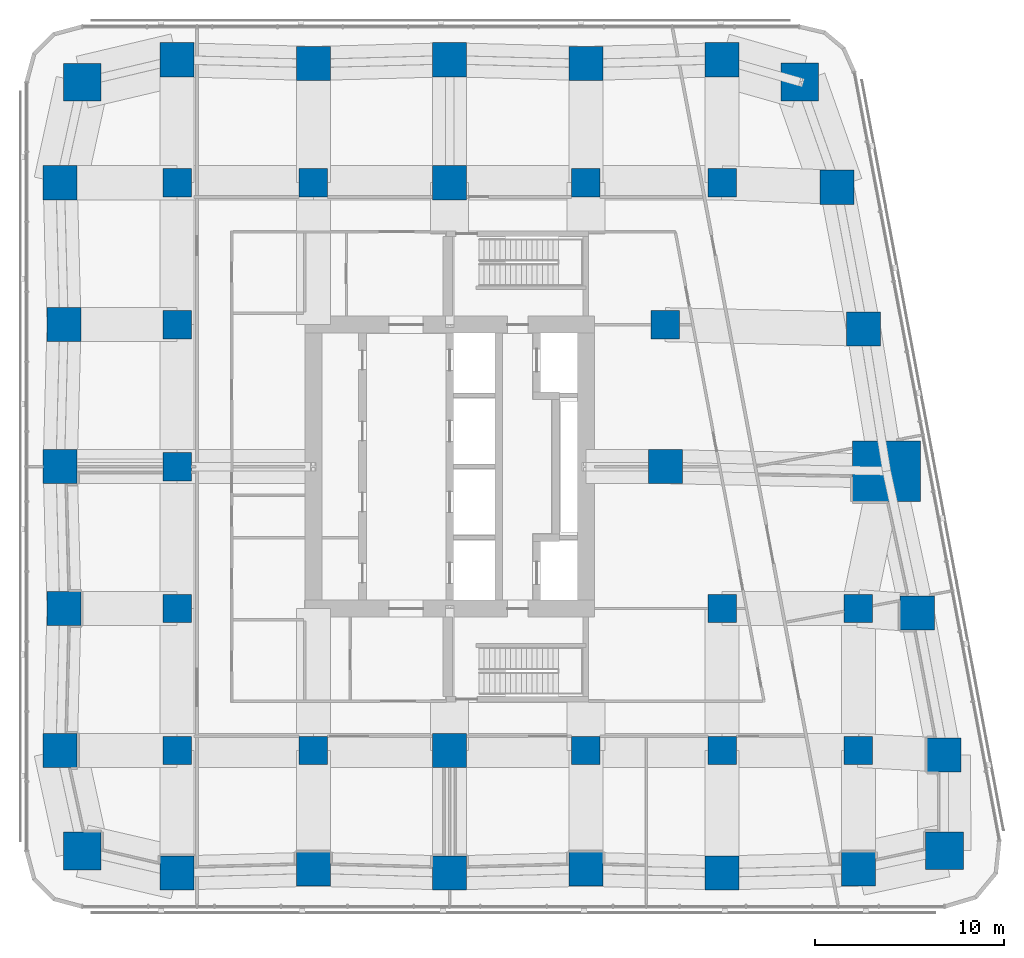
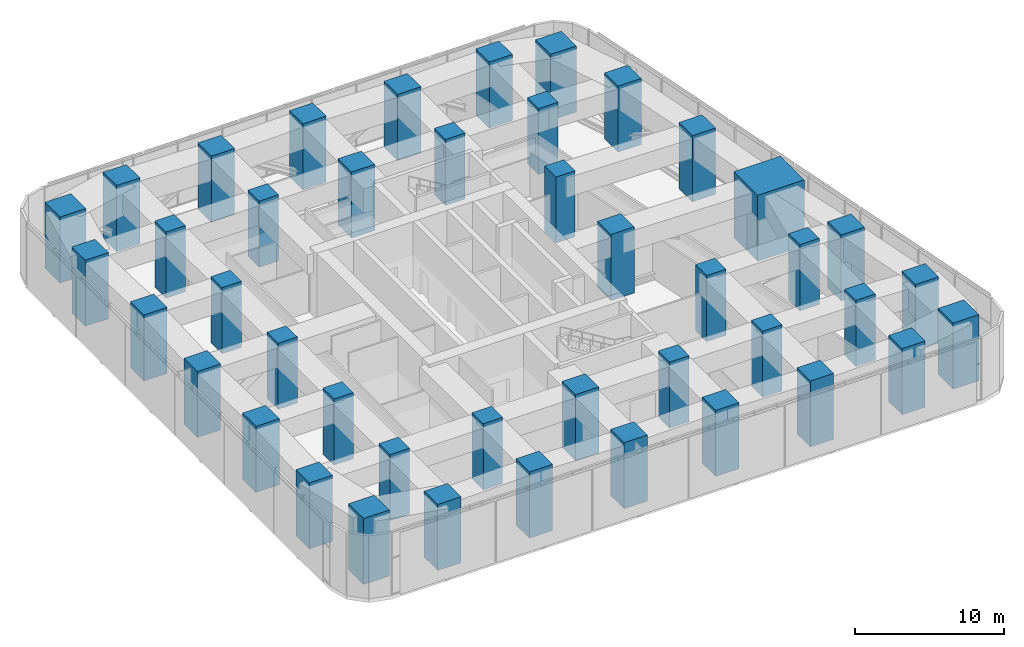
# One storey, part 1 of 17: 43 columns.
"""IFC4 building model written with IfcOpenShell, lengths in metres."""

from ifc_helpers import new_model, si_unit, direction, frame, origin, origin_2d, place, context, subcontext, project, spatial, rectangle, extrude, material, material_profile, profile_set, type_object, element, save


model = new_model("IFC4")

# Units and contexts
model_context = context("Model", 3, precision=1e-05, world=origin(), true_north=direction((0.0, 1.0)))
body_context = subcontext(model_context, "Body", "Model", "MODEL_VIEW")
ifc_project = project(units=[si_unit("LENGTHUNIT", "METRE"), si_unit("AREAUNIT", "SQUARE_METRE"), si_unit("VOLUMEUNIT", "CUBIC_METRE"), si_unit("PLANEANGLEUNIT", "RADIAN"), si_unit("MASSUNIT", "GRAM", prefix="KILO")], contexts=[model_context])

# Site, building, storey
site_placement = place(None, origin())
site = spatial("IfcSite", under=ifc_project, at=site_placement, CompositionType="ELEMENT")
building_placement = place(site_placement, origin())
building = spatial("IfcBuilding", under=site, at=building_placement, Name="Sheger Commons Tower", CompositionType="ELEMENT")
storey_placement = place(building_placement, frame((0.0, 0.0, 188.300048828125)))
storey = spatial("IfcBuildingStorey", under=building, at=storey_placement, Name="L48", CompositionType="ELEMENT", Elevation=188.300048828125)

# Columns
ifc_material_1 = material(Name="Concrete C50/60", Category="concrete")
ifc_material_profile_1 = material_profile(ifc_material_1, rectangle(XDim=3.60009765625, YDim=3.199951171875, at=origin_2d()), Name="RC 3600x3200")
ifc_profile_set_1 = profile_set([ifc_material_profile_1], Name="Concrete C50/60")
column_type_1 = type_object("IfcColumnType", Name="COLUMN PIER RC 3600x3200", PredefinedType="COLUMN", material=ifc_profile_set_1)
column_placement = place(storey_placement, frame((44.697021484375, 22.262939453125, 0.0), z_axis=(0.0, 0.0, 1.0), x_axis=(1.0, 0.0, 0.0)))
element("IfcColumn", 1, at=column_placement, inside=storey, type_object=column_type_1, Name="Pier 7/D+E/D L48", PredefinedType="COLUMN", context=body_context, shape_type="SweptSolid", body=[
    extrude(rectangle(XDim=3.60009765625, YDim=3.199951171875, at=origin_2d()), origin(), (0.0, 0.0, 1.0), 5.39990234375),
])
ifc_material_2 = material(Name="Concrete C50/60", Category="concrete")
ifc_material_profile_2 = material_profile(ifc_material_2, rectangle(XDim=1.5, YDim=1.5, at=origin_2d()), Name="RC 1500x1500")
ifc_profile_set_2 = profile_set([ifc_material_profile_2], Name="Concrete C50/60")
column_type_2 = type_object("IfcColumnType", Name="COLUMN RC 1500x1500", PredefinedType="COLUMN", material=ifc_profile_set_2)
for number, where, z_axis, x_axis, name in (
    (2, (7.199951171875, 7.5, 0.0), (0.0, 0.0, 1.0), (1.0, 0.0, 0.0), "Column 2/B L48"),
    (3, (14.39990234375, 7.5, 0.0), (0.0, 0.0, 1.0), (1.0, 0.0, 0.0), "Column 3/B L48"),
    (4, (28.800048828125, 7.5, 0.0), (0.0, 0.0, 1.0), (1.0, 0.0, 0.0), "Column 5/B L48"),
    (5, (36.0, 7.5, 0.0), (0.0, 0.0, 1.0), (1.0, 0.0, 0.0), "Column 6/B L48"),
    (6, (43.199951171875, 7.5, 0.0), (0.0, 0.0, 1.0), (1.0, 0.0, 0.0), "Column 7/B L48"),
    (7, (7.199951171875, 15.0, 0.0), (0.0, 0.0, 1.0), (1.0, 0.0, 0.0), "Column 2/C L48"),
    (8, (36.0, 15.0, 0.0), (0.0, 0.0, 1.0), (1.0, 0.0, 0.0), "Column 6/C L48"),
    (9, (43.199951171875, 15.0, 0.0), (0.0, 0.0, 1.0), (1.0, 0.0, 0.0), "Column 7/C L48"),
    (10, (7.199951171875, 22.5, 0.0), (0.0, 0.0, 1.0), (1.0, 0.0, 0.0), "Column 2/D L48"),
    (11, (7.199951171875, 30.0, 0.0), (0.0, 0.0, 1.0), (1.0, 0.0, 0.0), "Column 2/E L48"),
    (12, (33.0, 30.0, 0.0), (0.0, 0.0, 1.0), (1.0, 0.0, 0.0), "Column 6-3000/E L48"),
    (13, (7.199951171875, 37.5, 0.0), (0.0, 0.0, 1.0), (1.0, 0.0, 0.0), "Column 2/F L48"),
    (14, (14.39990234375, 37.5, 0.0), (0.0, 0.0, 1.0), (1.0, 0.0, 0.0), "Column 3/F L48"),
    (15, (28.800048828125, 37.5, 0.0), (0.0, 0.0, 1.0), (1.0, 0.0, 0.0), "Column 5/F L48"),
    (16, (36.0, 37.5, 0.0), (0.0, 0.0, 1.0), (1.0, 0.0, 0.0), "Column 6/F L48"),
):
    element("IfcColumn", number, at=place(storey_placement, frame(where, z_axis=z_axis, x_axis=x_axis)), inside=storey, type_object=column_type_2, Name=name, PredefinedType="COLUMN", context=body_context, shape_type="SweptSolid", body=[
        extrude(rectangle(XDim=1.5, YDim=1.5, at=origin_2d()), origin(), (0.0, 0.0, 1.0), 5.39990234375),
    ])
ifc_material_3 = material(Name="Concrete C50/60", Category="concrete")
ifc_material_profile_3 = material_profile(ifc_material_3, rectangle(XDim=1.800048828125, YDim=1.800048828125, at=origin_2d()), Name="RC 1800x1800")
ifc_profile_set_3 = profile_set([ifc_material_profile_3], Name="Concrete C50/60")
column_type_3 = type_object("IfcColumnType", Name="COLUMN RC 1800x1800", PredefinedType="COLUMN", material=ifc_profile_set_3)
for number, where, z_axis, x_axis, name in (
    (17, (7.199951171875, 1.02490234375, 0.0), (0.0, 0.0, 1.0), (1.0, 0.0, 0.0), "Column 2/A L48"),
    (18, (14.39990234375, 1.22509765625, 0.0), (0.0, 0.0, 1.0), (1.0, 0.0, 0.0), "Column 3/A L48"),
    (19, (21.60009765625, 1.02490234375, 0.0), (0.0, 0.0, 1.0), (1.0, 0.0, 0.0), "Column 4/A L48"),
    (20, (28.800048828125, 1.22509765625, 0.0), (0.0, 0.0, 1.0), (1.0, 0.0, 0.0), "Column 5/A L48"),
    (21, (36.0, 1.02490234375, 0.0), (0.0, 0.0, 1.0), (1.0, 0.0, 0.0), "Column 6/A L48"),
    (22, (43.199951171875, 1.22509765625, 0.0), (0.0, 0.0, 1.0), (1.0, 0.0, 0.0), "Column 7/A L48"),
    (23, (1.02490234375, 7.5, 0.0), (0.0, 0.0, 1.0), (1.0, 0.0, 0.0), "Column 1/B L48"),
    (24, (21.60009765625, 7.5, 0.0), (0.0, 0.0, 1.0), (1.0, 0.0, 0.0), "Column 4/B L48"),
    (25, (47.72998046875, 7.262939453125, 0.0), (0.0, 0.0, 1.0), (1.0, 0.0, 0.0), "Column E/B L48"),
    (26, (1.22509765625, 15.0, 0.0), (0.0, 0.0, 1.0), (1.0, 0.0, 0.0), "Column 1/C L48"),
    (27, (46.31396484375, 14.762939453125, 0.0), (0.0, 0.0, 1.0), (1.0, 0.0, 0.0), "Column E/C L48"),
    (28, (1.02490234375, 22.5, 0.0), (0.0, 0.0, 1.0), (1.0, 0.0, 0.0), "Column 1/D L48"),
    (29, (33.0, 22.5, 0.0), (0.0, 0.0, 1.0), (1.0, 0.0, 0.0), "Column 6-3000/D L48"),
    (30, (1.22509765625, 30.0, 0.0), (0.0, 0.0, 1.0), (1.0, 0.0, 0.0), "Column 1/E L48"),
    (31, (43.47998046875, 29.762939453125, 0.0), (0.0, 0.0, 1.0), (1.0, 0.0, 0.0), "Column E/E L48"),
    (32, (1.02490234375, 37.5, 0.0), (0.0, 0.0, 1.0), (1.0, 0.0, 0.0), "Column 1/F L48"),
    (33, (21.60009765625, 37.5, 0.0), (0.0, 0.0, 1.0), (1.0, 0.0, 0.0), "Column 4/F L48"),
    (34, (42.06396484375, 37.262939453125, 0.0), (0.0, 0.0, 1.0), (1.0, 0.0, 0.0), "Column E/F L48"),
    (35, (7.199951171875, 44.0, 0.0), (0.0, 0.0, 1.0), (1.0, 0.0, 0.0), "Column 2/G L48"),
    (36, (14.39990234375, 43.800048828125, 0.0), (0.0, 0.0, 1.0), (1.0, 0.0, 0.0), "Column 3/G L48"),
    (37, (21.60009765625, 44.0, 0.0), (0.0, 0.0, 1.0), (1.0, 0.0, 0.0), "Column 4/G L48"),
    (38, (28.800048828125, 43.800048828125, 0.0), (0.0, 0.0, 1.0), (1.0, 0.0, 0.0), "Column 5/G L48"),
    (39, (36.0, 44.0, 0.0), (0.0, 0.0, 1.0), (1.0, 0.0, 0.0), "Column 6/G L48"),
):
    element("IfcColumn", number, at=place(storey_placement, frame(where, z_axis=z_axis, x_axis=x_axis)), inside=storey, type_object=column_type_3, Name=name, PredefinedType="COLUMN", context=body_context, shape_type="SweptSolid", body=[
        extrude(rectangle(XDim=1.800048828125, YDim=1.800048828125, at=origin_2d()), origin(), (0.0, 0.0, 1.0), 5.39990234375),
    ])
ifc_material_4 = material(Name="Concrete C50/60", Category="concrete")
ifc_material_profile_4 = material_profile(ifc_material_4, rectangle(XDim=2.0, YDim=2.0, at=origin_2d()), Name="RC 2000x2000")
ifc_profile_set_4 = profile_set([ifc_material_profile_4], Name="Concrete C50/60")
column_type_4 = type_object("IfcColumnType", Name="COLUMN RC 2000x2000", PredefinedType="COLUMN", material=ifc_profile_set_4)
for number, where, z_axis, x_axis, name in (
    (40, (2.18603515625, 2.18603515625, 0.0), (0.0, 0.0, 1.0), (1.0, 0.0, 0.0), "Column 0.630,0.630 L48"),
    (41, (47.748046875, 2.197021484375, 0.0), (0.0, 0.0, 1.0), (1.0, 0.0, 0.0), "Column 49.461,0.778 L48"),
    (42, (2.18603515625, 42.81396484375, 0.0), (0.0, 0.0, 1.0), (1.0, 0.0, 0.0), "Column 0.630,44.370 L48"),
    (43, (40.10205078125, 42.830078125, 0.0), (0.0, 0.0, 1.0), (1.0, 0.0, 0.0), "Column 41.490,44.505 L48"),
):
    element("IfcColumn", number, at=place(storey_placement, frame(where, z_axis=z_axis, x_axis=x_axis)), inside=storey, type_object=column_type_4, Name=name, PredefinedType="COLUMN", context=body_context, shape_type="SweptSolid", body=[
        extrude(rectangle(XDim=2.0, YDim=2.0, at=origin_2d()), origin(), (0.0, 0.0, 1.0), 5.39990234375),
    ])

save(model, "model.ifc")
